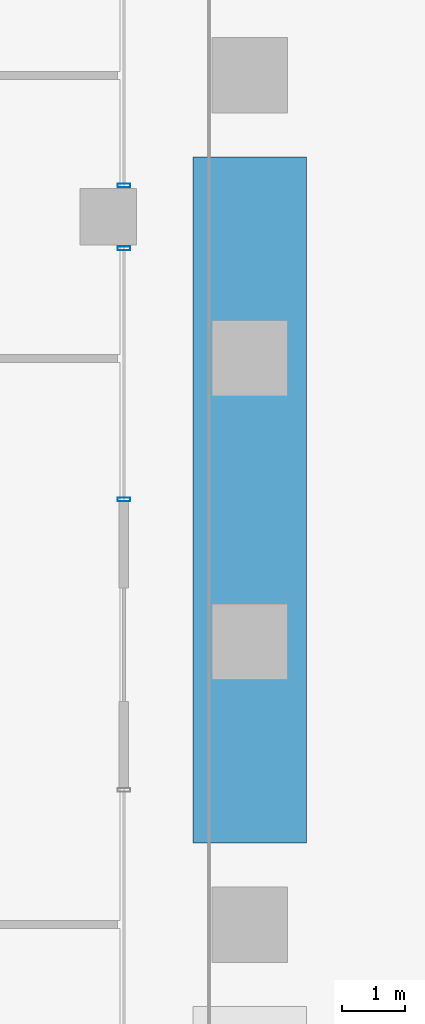
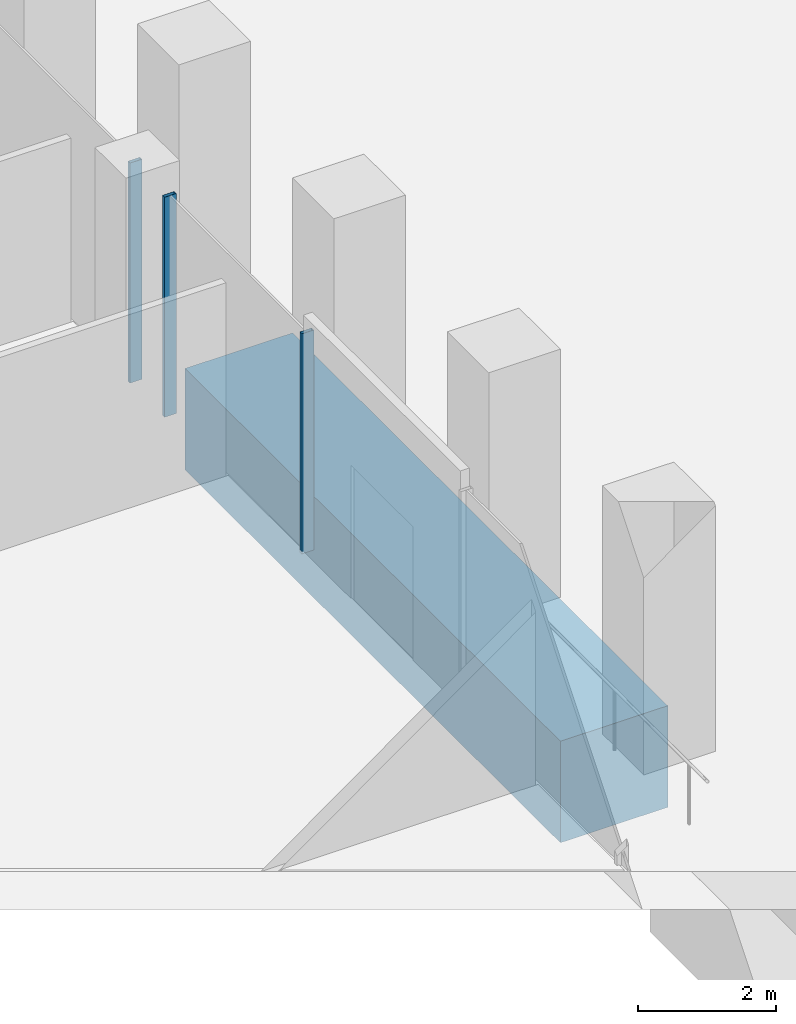
# One storey, part 8 of 32: 3 members, 1 beam, 2 elements without a shape of their own.
"""IFC4 building model written with IfcOpenShell, lengths in metres."""

import ifcopenshell
import ifcopenshell.guid

model = None  # the IFC model being written
_history = None  # IfcOwnerHistory: only IFC2X3 demands one
_inside = {}  # id of a spatial element -> (the spatial element, [elements in it])
_under = {}  # id of a project, library or spatial element -> (it, [spatial elements below it])
_declared = {}  # id of a project -> (the project, [libraries it declares])
_typed = {}  # id of a type object -> (the type object, [elements of that type])
_made_of = {}  # id of a material, layer set ... -> (it, [elements and type objects made of it])


def new_model(schema):
    """Start an empty IFC model of exactly this schema.

    Asked for "IFC4X3", IfcOpenShell would pick the latest addendum, in which some entities
    have other attributes; the version numbers below select the first issue.
    IFC2X3 requires an IfcOwnerHistory on every rooted entity: one is made here for all.
    """
    global model, _history
    if schema == "IFC4X3":
        model = ifcopenshell.file(schema_version=(4, 3, 0, 0))
    else:
        model = ifcopenshell.file(schema=schema)
    _inside.clear()
    _under.clear()
    _declared.clear()
    _typed.clear()
    _made_of.clear()
    _history = None
    if model.schema == "IFC2X3":
        org = make("IfcOrganization", Name="unknown")
        user = make(
            "IfcPersonAndOrganization",
            ThePerson=make("IfcPerson", FamilyName="unknown"),
            TheOrganization=org,
        )
        app = make(
            "IfcApplication",
            ApplicationDeveloper=org,
            Version="unknown",
            ApplicationFullName="unknown",
            ApplicationIdentifier="unknown",
        )
        _history = make(
            "IfcOwnerHistory",
            OwningUser=user,
            OwningApplication=app,
            ChangeAction="ADDED",
            CreationDate=0,
        )
    return model


def make(cls, **values):
    """One entity of the class cls with the attributes given. An attribute that is None is left unset."""
    return model.create_entity(
        cls, **{name: value for name, value in values.items() if value is not None}
    )


def rooted(cls, **values):
    """An entity with a GlobalId (a new one), such as an element, a storey or a relation."""
    return make(cls, GlobalId=ifcopenshell.guid.new(), OwnerHistory=_history, **values)


def si_unit(unit_type, name, prefix=None):
    """IfcSIUnit, for example si_unit("LENGTHUNIT", "METRE", prefix="MILLI")."""
    return make("IfcSIUnit", UnitType=unit_type, Prefix=prefix, Name=name)


def assignment(units):
    """IfcUnitAssignment: the units of a project."""
    return None if units is None else make("IfcUnitAssignment", Units=units)


def point(xyz):
    """IfcCartesianPoint."""
    return None if xyz is None else make("IfcCartesianPoint", Coordinates=xyz)


def direction(xyz):
    """IfcDirection."""
    return None if xyz is None else make("IfcDirection", DirectionRatios=xyz)


def frame(location, z_axis=None, x_axis=None):
    """IfcAxis2Placement3D, a coordinate frame: its origin and axes. An axis left out is left unset."""
    return make(
        "IfcAxis2Placement3D",
        Location=point(location),
        Axis=direction(z_axis),
        RefDirection=direction(x_axis),
    )


def frame_2d(location, x_axis=None):
    """IfcAxis2Placement2D, a coordinate frame in the plane: its origin and x axis."""
    return make(
        "IfcAxis2Placement2D", Location=point(location), RefDirection=direction(x_axis)
    )


def origin():
    """The frame at (0, 0, 0) with its axes left unset."""
    return frame((0.0, 0.0, 0.0))


def origin_2d():
    """The frame at (0, 0) in the plane with its x axis left unset."""
    return frame_2d((0.0, 0.0))


def place(relative_to, where):
    """IfcLocalPlacement: puts the frame where relative to a parent placement (None: the world)."""
    return make(
        "IfcLocalPlacement", PlacementRelTo=relative_to, RelativePlacement=where
    )


def context(
    kind, dimensions, precision=None, world=None, true_north=None, identifier=None
):
    """IfcGeometricRepresentationContext, for example the 3D "Model" context."""
    return make(
        "IfcGeometricRepresentationContext",
        ContextIdentifier=identifier,
        ContextType=kind,
        CoordinateSpaceDimension=dimensions,
        Precision=precision,
        WorldCoordinateSystem=world,
        TrueNorth=true_north,
    )


def subcontext(parent, identifier, kind, view, scale=None):
    """IfcGeometricRepresentationSubContext, for example "Body" below "Model"."""
    return make(
        "IfcGeometricRepresentationSubContext",
        ContextIdentifier=identifier,
        ContextType=kind,
        ParentContext=parent,
        TargetScale=scale,
        TargetView=view,
    )


def project(units=None, contexts=None):
    """IfcProject with its units and contexts."""
    return rooted(
        "IfcProject",
        Name="project",
        RepresentationContexts=contexts,
        UnitsInContext=assignment(units),
    )


def spatial(cls, under=None, at=None, **own):
    """A site, building, storey or space (cls), placed at a placement, below another one or the project."""
    s = rooted(cls, ObjectPlacement=at, **own)
    if under is not None:
        _under.setdefault(under.id(), (under, []))[1].append(s)
    return s


def profile(cls, at=None, kind="AREA", **sizes):
    """A parametric profile (cls). Its sizes go by their IFC names, for example OverallWidth=200.0."""
    return make(cls, ProfileType=kind, Position=at, **sizes)


def rectangle(**sizes):
    """IfcRectangleProfileDef."""
    return profile("IfcRectangleProfileDef", **sizes)


def hollow_rectangle(**sizes):
    """IfcRectangleHollowProfileDef."""
    return profile("IfcRectangleHollowProfileDef", **sizes)


def extrude(swept, where, along, depth):
    """IfcExtrudedAreaSolid: the profile swept, set in the frame where, extruded along a direction by depth."""
    return make(
        "IfcExtrudedAreaSolid",
        SweptArea=swept,
        Position=where,
        ExtrudedDirection=direction(along),
        Depth=depth,
    )


def shape(context_of_items, identifier, shape_type, items):
    """IfcShapeRepresentation: the items that make up one representation, for example the "Body"."""
    return make(
        "IfcShapeRepresentation",
        ContextOfItems=context_of_items,
        RepresentationIdentifier=identifier,
        RepresentationType=shape_type,
        Items=items,
    )


def material(Name=None, Category=None):
    """IfcMaterial."""
    return make("IfcMaterial", Name=Name, Category=Category)


def material_profile(
    of_material, cross_section, Name=None, Category=None, Priority=None
):
    """IfcMaterialProfile: a cross section and its material."""
    return make(
        "IfcMaterialProfile",
        Name=Name,
        Material=of_material,
        Profile=cross_section,
        Priority=Priority,
        Category=Category,
    )


def profile_set(profiles, Name=None, composite=None):
    """IfcMaterialProfileSet."""
    return make(
        "IfcMaterialProfileSet",
        Name=Name,
        MaterialProfiles=profiles,
        CompositeProfile=composite,
    )


def made_of(thing, what):
    """Note that an element or type object is made of a material, layer set ...; save() writes the relation."""
    if what is not None:
        _made_of.setdefault(what.id(), (what, []))[1].append(thing)
    return thing


def type_object(cls, material=None, **own):
    """A type object (cls), such as IfcWallType, which elements share."""
    return made_of(rooted(cls, **own), material)


def element(
    cls,
    number,
    at=None,
    inside=None,
    cuts=None,
    type_object=None,
    material=None,
    context=None,
    identifier="Body",
    shape_type=None,
    held_by="IfcProductDefinitionShape",
    body=None,
    shapes=None,
    **own,
):
    """One element of the class cls, such as IfcWall. Its Tag is "e" and its number.

    at: its placement. inside: the storey or other place that contains it. cuts: it is an
    opening in that element (IfcRelVoidsElement). A single representation is given by context,
    identifier, shape_type and body (its items); several are given by shapes. held_by: the class
    of the entity that holds the representations. save() writes the other relations.
    """
    e = rooted(cls, Tag="e%d" % number, ObjectPlacement=at, **own)
    if body is not None:
        shapes = [shape(context, identifier, shape_type, body)]
    if shapes is not None:
        e.Representation = make(held_by, Representations=shapes)
    if inside is not None:
        _inside.setdefault(inside.id(), (inside, []))[1].append(e)
    if cuts is not None:
        rooted(
            "IfcRelVoidsElement", RelatingBuildingElement=cuts, RelatedOpeningElement=e
        )
    if type_object is not None:
        _typed.setdefault(type_object.id(), (type_object, []))[1].append(e)
    return made_of(e, material)


def aggregate(whole, parts):
    """IfcRelAggregates: a whole, such as a stair, and the parts it consists of."""
    return rooted("IfcRelAggregates", RelatingObject=whole, RelatedObjects=parts)


def save(model, path):
    """Write the relations noted so far, then the file.

    IfcRelAggregates (storeys below a building ...), IfcRelContainedInSpatialStructure (elements
    in a storey), IfcRelDefinesByType, IfcRelAssociatesMaterial and IfcRelDeclares: one each for
    every whole, place, type object, material and project.
    """
    for whole, parts in _under.values():
        aggregate(whole, parts)
    for where, things in _inside.values():
        rooted(
            "IfcRelContainedInSpatialStructure",
            RelatedElements=things,
            RelatingStructure=where,
        )
    for kind, things in _typed.values():
        rooted("IfcRelDefinesByType", RelatedObjects=things, RelatingType=kind)
    for what, things in _made_of.values():
        rooted("IfcRelAssociatesMaterial", RelatedObjects=things, RelatingMaterial=what)
    for by, libraries in _declared.values():
        rooted("IfcRelDeclares", RelatingContext=by, RelatedDefinitions=libraries)
    model.write(path)


model = new_model("IFC4")

# Units and contexts
model_context = context("Model", 3, precision=1e-05, world=origin(), true_north=direction((0.0, 1.0)))
body_context = subcontext(model_context, "Body", "Model", "MODEL_VIEW")
ifc_project = project(units=[si_unit("LENGTHUNIT", "METRE"), si_unit("AREAUNIT", "SQUARE_METRE"), si_unit("VOLUMEUNIT", "CUBIC_METRE"), si_unit("PLANEANGLEUNIT", "RADIAN"), si_unit("MASSUNIT", "GRAM", prefix="KILO")], contexts=[model_context])

# Site, building, storey
site_placement = place(None, origin())
site = spatial("IfcSite", under=ifc_project, at=site_placement, CompositionType="ELEMENT")
building_placement = place(site_placement, origin())
building = spatial("IfcBuilding", under=site, at=building_placement, Name="Altepetl Exchange Towers", CompositionType="ELEMENT")
storey_placement = place(building_placement, frame((0.0, 0.0, 21.0)))
storey = spatial("IfcBuildingStorey", under=building, at=storey_placement, Name="L04", CompositionType="ELEMENT", Elevation=21.0)

# Curtain wall, members
ifc_material_1 = material(Name="Aluminium 6063-T6 glazing", Category="aluminium")
curtain_wall_type = type_object("IfcCurtainWallType", Name="Trading floor glazing system", PredefinedType="NOTDEFINED", material=ifc_material_1)
curtain_wall_1_placement = place(storey_placement, origin())
curtain_wall_1 = element("IfcCurtainWall", 1, at=curtain_wall_1_placement, inside=storey, type_object=curtain_wall_type, Name="CW2 run", PredefinedType="NOTDEFINED")
ifc_material_2 = material(Name="Aluminium 6063-T6", Category="aluminium")
ifc_material_profile_1 = material_profile(ifc_material_2, hollow_rectangle(XDim=0.06005859375, YDim=0.199951171875, WallThickness=0.0029296875, at=origin_2d()), Name="Mullion 60x200 aluminium")
ifc_profile_set_1 = profile_set([ifc_material_profile_1], Name="Aluminium 6063-T6")
member_type = type_object("IfcMemberType", Name="Mullion 60x200 aluminium", PredefinedType="MULLION", material=ifc_profile_set_1)
member_1_placement = place(storey_placement, frame((70.0, 51.758544921875, 0.0), z_axis=(0.0, 0.0, 1.0), x_axis=(0.0, 1.0, 0.0)))
member_1 = element("IfcMember", 2, at=member_1_placement, type_object=member_type, Name="MU2 mullion", PredefinedType="MULLION", context=body_context, shape_type="SweptSolid", body=[
    extrude(hollow_rectangle(XDim=0.06005859375, YDim=0.199951171875, WallThickness=0.0029296875, at=origin_2d()), origin(), (0.0, 0.0, 1.0), 3.89990234375),
])
member_2_placement = place(storey_placement, frame((70.0, 55.75, 0.0), z_axis=(0.0, 0.0, 1.0), x_axis=(0.0, 1.0, 0.0)))
member_2 = element("IfcMember", 3, at=member_2_placement, type_object=member_type, Name="MU2 mullion", PredefinedType="MULLION", context=body_context, shape_type="SweptSolid", body=[
    extrude(hollow_rectangle(XDim=0.06005859375, YDim=0.199951171875, WallThickness=0.0029296875, at=origin_2d()), origin(), (0.0, 0.0, 1.0), 3.89990234375),
])
aggregate(curtain_wall_1, [member_1, member_2])

# Curtain wall, member
curtain_wall_2_placement = place(storey_placement, origin())
curtain_wall_2 = element("IfcCurtainWall", 4, at=curtain_wall_2_placement, inside=storey, type_object=curtain_wall_type, Name="CW2 run", PredefinedType="NOTDEFINED")
member_3_placement = place(storey_placement, frame((70.0, 56.75, 0.0), z_axis=(0.0, 0.0, 1.0), x_axis=(0.0, 1.0, 0.0)))
member_3 = element("IfcMember", 5, at=member_3_placement, type_object=member_type, Name="MU2 mullion", PredefinedType="MULLION", context=body_context, shape_type="SweptSolid", body=[
    extrude(hollow_rectangle(XDim=0.06005859375, YDim=0.199951171875, WallThickness=0.0029296875, at=origin_2d()), origin(), (0.0, 0.0, 1.0), 3.89990234375),
])
aggregate(curtain_wall_2, [member_3])

# Beam
ifc_material_3 = material(Name="Concrete C60/75", Category="concrete")
ifc_material_profile_2 = material_profile(ifc_material_3, rectangle(XDim=1.800048828125, YDim=1.800048828125, at=origin_2d()), Name="1800 x 1800")
ifc_profile_set_2 = profile_set([ifc_material_profile_2], Name="Concrete C60/75")
beam_type = type_object("IfcBeamType", Name="Transfer girder 1800x1800", PredefinedType="BEAM", material=ifc_profile_set_2)
beam_placement = place(storey_placement, frame((72.0, 46.300048828125, -1.35009765625), z_axis=(0.0, 1.0, 0.0), x_axis=(-1.0, 0.0, 0.0)))
element("IfcBeam", 6, at=beam_placement, inside=storey, type_object=beam_type, Name="bm:A:L04:tg04", PredefinedType="BEAM", context=body_context, shape_type="SweptSolid", body=[
    extrude(rectangle(XDim=1.800048828125, YDim=1.800048828125, at=origin_2d()), origin(), (0.0, 0.0, 1.0), 10.89990234375),
])

save(model, "model.ifc")
